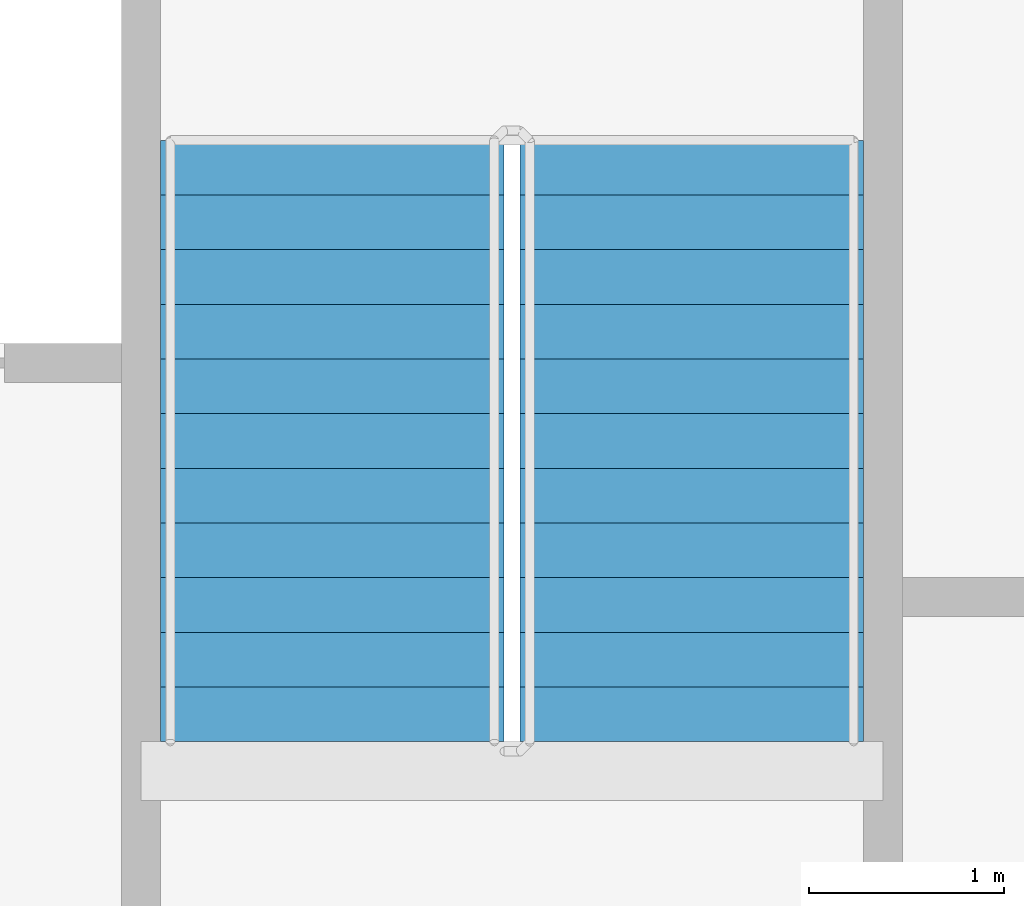
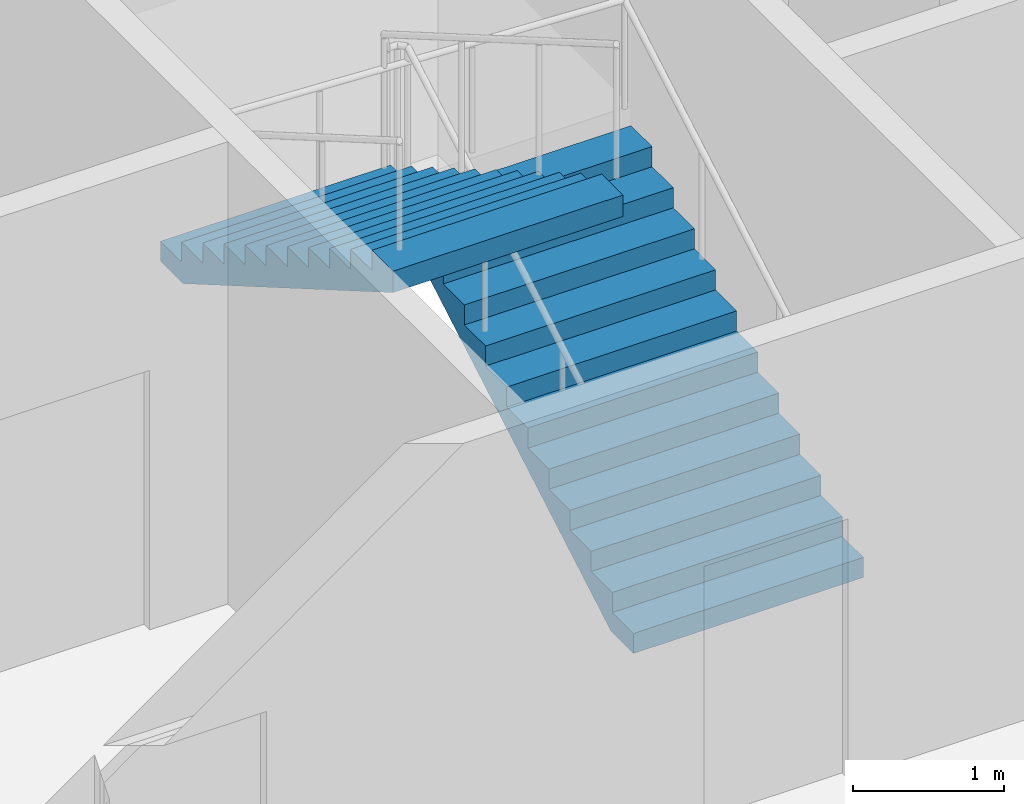
# One storey, part 10 of 15: 2 stair flights, 1 element without a shape of its own.
"""IFC4 building model written with IfcOpenShell, lengths in metres."""

from ifc_helpers import new_model, si_unit, direction, frame, origin, place, context, subcontext, project, spatial, faceted_brep, material, type_object, element, aggregate, save


model = new_model("IFC4")

# Units and contexts
model_context = context("Model", 3, precision=1e-05, world=origin(), true_north=direction((0.0, 1.0)))
body_context = subcontext(model_context, "Body", "Model", "MODEL_VIEW")
ifc_project = project(units=[si_unit("LENGTHUNIT", "METRE"), si_unit("AREAUNIT", "SQUARE_METRE"), si_unit("VOLUMEUNIT", "CUBIC_METRE"), si_unit("PLANEANGLEUNIT", "RADIAN"), si_unit("MASSUNIT", "GRAM", prefix="KILO")], contexts=[model_context])

# Site, building, storey
site_placement = place(None, origin())
site = spatial("IfcSite", under=ifc_project, at=site_placement, CompositionType="ELEMENT")
building_placement = place(site_placement, origin())
building = spatial("IfcBuilding", under=site, at=building_placement, Name="Tarsis Ring Headquarters", CompositionType="ELEMENT")
storey_placement = place(building_placement, frame((0.0, 0.0, 43.89990234375)))
storey = spatial("IfcBuildingStorey", under=building, at=storey_placement, Name="L08", CompositionType="ELEMENT", Elevation=43.89990234375)

# Stair, stair flights
ifc_material_1 = material(Name="Core stair 1760")
stair_type = type_object("IfcStairType", Name="Core stair 1760", PredefinedType="HALF_TURN_STAIR", material=ifc_material_1)
stair_placement = place(storey_placement, origin())
stair = element("IfcStair", 1, at=stair_placement, inside=storey, type_object=stair_type, Name="L08 Exit stair B", PredefinedType="HALF_TURN_STAIR")
ifc_material_2 = material(Name="Concrete C40/50", Category="concrete")
stair_flight_type = type_object("IfcStairFlightType", Name="Core stair flight 1760", PredefinedType="STRAIGHT", material=ifc_material_2)
stair_flight_1_placement = place(storey_placement, frame((5.419921875, 3.659912109375, 0.0), z_axis=(0.0, 0.0, 1.0), x_axis=(0.0, 1.0, 0.0)))
stair_flight_1 = element("IfcStairFlight", 2, at=stair_flight_1_placement, type_object=stair_flight_type, Name="Stair ST2 flight 1", NumberOfRisers=12, NumberOfTreads=11, PredefinedType="STRAIGHT", RiserHeight=0.1625, TreadLength=0.28, context=body_context, shape_type="Brep", body=[
    faceted_brep([(0.0, 0.8798828125, 0.0), (0.0, 0.8798828125, 0.16259765625), (0.280029296875, 0.8798828125, 0.16259765625), (0.280029296875, 0.8798828125, 0.324951171875), (0.56005859375, 0.8798828125, 0.324951171875), (0.56005859375, 0.8798828125, 0.487548828125), (0.840087890625, 0.8798828125, 0.487548828125), (0.840087890625, 0.8798828125, 0.64990234375), (1.1201171875, 0.8798828125, 0.64990234375), (1.1201171875, 0.8798828125, 0.8125), (1.39990234375, 0.8798828125, 0.8125), (1.39990234375, 0.8798828125, 0.97509765625), (1.679931640625, 0.8798828125, 0.97509765625), (1.679931640625, 0.8798828125, 1.137451171875), (1.9599609375, 0.8798828125, 1.137451171875), (1.9599609375, 0.8798828125, 1.300048828125), (2.239990234375, 0.8798828125, 1.300048828125), (2.239990234375, 0.8798828125, 1.46240234375), (2.52001953125, 0.8798828125, 1.46240234375), (2.52001953125, 0.8798828125, 1.625), (2.800048828125, 0.8798828125, 1.625), (2.800048828125, 0.8798828125, 1.78759765625), (3.080078125, 0.8798828125, 1.78759765625), (3.080078125, 0.8798828125, 1.6142578125), (0.298583984375, 0.8798828125, 0.0), (0.298583984375, -0.8798828125, 0.0), (3.080078125, -0.8798828125, 1.6142578125), (3.080078125, -0.8798828125, 1.78759765625), (2.800048828125, -0.8798828125, 1.78759765625), (2.800048828125, -0.8798828125, 1.625), (2.52001953125, -0.8798828125, 1.625), (2.52001953125, -0.8798828125, 1.46240234375), (2.239990234375, -0.8798828125, 1.46240234375), (2.239990234375, -0.8798828125, 1.300048828125), (1.9599609375, -0.8798828125, 1.300048828125), (1.9599609375, -0.8798828125, 1.137451171875), (1.679931640625, -0.8798828125, 1.137451171875), (1.679931640625, -0.8798828125, 0.97509765625), (1.39990234375, -0.8798828125, 0.97509765625), (1.39990234375, -0.8798828125, 0.8125), (1.1201171875, -0.8798828125, 0.8125), (1.1201171875, -0.8798828125, 0.64990234375), (0.840087890625, -0.8798828125, 0.64990234375), (0.840087890625, -0.8798828125, 0.487548828125), (0.56005859375, -0.8798828125, 0.487548828125), (0.56005859375, -0.8798828125, 0.324951171875), (0.280029296875, -0.8798828125, 0.324951171875), (0.280029296875, -0.8798828125, 0.16259765625), (0.0, -0.8798828125, 0.16259765625), (0.0, -0.8798828125, 0.0), (0.0, -0.43994140625, 0.16259765625), (0.0, -0.43994140625, 0.0), (0.0, 0.0, 0.16259765625), (0.0, 0.0, 0.0), (0.0, 0.43994140625, 0.16259765625), (0.0, 0.43994140625, 0.0), (0.280029296875, -0.43994140625, 0.16259765625), (0.280029296875, 0.0, 0.16259765625), (0.280029296875, 0.43994140625, 0.16259765625), (0.280029296875, -0.43994140625, 0.324951171875), (0.280029296875, 0.0, 0.324951171875), (0.280029296875, 0.43994140625, 0.324951171875), (0.56005859375, -0.43994140625, 0.324951171875), (0.56005859375, 0.0, 0.324951171875), (0.56005859375, 0.43994140625, 0.324951171875), (0.56005859375, -0.43994140625, 0.487548828125), (0.56005859375, 0.0, 0.487548828125), (0.56005859375, 0.43994140625, 0.487548828125), (0.840087890625, -0.43994140625, 0.487548828125), (0.840087890625, 0.0, 0.487548828125), (0.840087890625, 0.43994140625, 0.487548828125), (0.840087890625, -0.43994140625, 0.64990234375), (0.840087890625, 0.0, 0.64990234375), (0.840087890625, 0.43994140625, 0.64990234375), (1.1201171875, -0.43994140625, 0.64990234375), (1.1201171875, 0.0, 0.64990234375), (1.1201171875, 0.43994140625, 0.64990234375), (1.1201171875, -0.43994140625, 0.8125), (1.1201171875, 0.0, 0.8125), (1.1201171875, 0.43994140625, 0.8125), (1.39990234375, -0.43994140625, 0.8125), (1.39990234375, 0.0, 0.8125), (1.39990234375, 0.43994140625, 0.8125), (1.39990234375, -0.43994140625, 0.97509765625), (1.39990234375, 0.0, 0.97509765625), (1.39990234375, 0.43994140625, 0.97509765625), (1.679931640625, -0.43994140625, 0.97509765625), (1.679931640625, 0.0, 0.97509765625), (1.679931640625, 0.43994140625, 0.97509765625), (1.679931640625, -0.43994140625, 1.137451171875), (1.679931640625, 0.0, 1.137451171875), (1.679931640625, 0.43994140625, 1.137451171875), (1.9599609375, -0.43994140625, 1.137451171875), (1.9599609375, 0.0, 1.137451171875), (1.9599609375, 0.43994140625, 1.137451171875), (1.9599609375, -0.43994140625, 1.300048828125), (1.9599609375, 0.0, 1.300048828125), (1.9599609375, 0.43994140625, 1.300048828125), (2.239990234375, -0.43994140625, 1.300048828125), (2.239990234375, 0.0, 1.300048828125), (2.239990234375, 0.43994140625, 1.300048828125), (2.239990234375, -0.43994140625, 1.46240234375), (2.239990234375, 0.0, 1.46240234375), (2.239990234375, 0.43994140625, 1.46240234375), (2.52001953125, -0.43994140625, 1.46240234375), (2.52001953125, 0.0, 1.46240234375), (2.52001953125, 0.43994140625, 1.46240234375), (2.52001953125, -0.43994140625, 1.625), (2.52001953125, 0.0, 1.625), (2.52001953125, 0.43994140625, 1.625), (2.800048828125, -0.43994140625, 1.625), (2.800048828125, 0.0, 1.625), (2.800048828125, 0.43994140625, 1.625), (2.800048828125, -0.43994140625, 1.78759765625), (2.800048828125, 0.0, 1.78759765625), (2.800048828125, 0.43994140625, 1.78759765625), (3.080078125, -0.43994140625, 1.78759765625), (3.080078125, 0.0, 1.78759765625), (3.080078125, 0.43994140625, 1.78759765625), (3.080078125, -0.43994140625, 1.6142578125), (3.080078125, 0.0, 1.6142578125), (3.080078125, 0.43994140625, 1.6142578125), (0.298583984375, -0.43994140625, 0.0), (0.298583984375, 0.0, 0.0), (0.298583984375, 0.43994140625, 0.0)], [[[0, 1, 2, 3, 4, 5, 6, 7, 8, 9, 10, 11, 12, 13, 14, 15, 16, 17, 18, 19, 20, 21, 22, 23, 24]], [[25, 26, 27, 28, 29, 30, 31, 32, 33, 34, 35, 36, 37, 38, 39, 40, 41, 42, 43, 44, 45, 46, 47, 48, 49]], [[49, 48, 50, 51]], [[51, 50, 52, 53]], [[53, 52, 54, 55]], [[55, 54, 1, 0]], [[48, 47, 56, 50]], [[50, 56, 57, 52]], [[52, 57, 58, 54]], [[54, 58, 2, 1]], [[47, 46, 59, 56]], [[56, 59, 60, 57]], [[57, 60, 61, 58]], [[58, 61, 3, 2]], [[46, 45, 62, 59]], [[59, 62, 63, 60]], [[60, 63, 64, 61]], [[61, 64, 4, 3]], [[45, 44, 65, 62]], [[62, 65, 66, 63]], [[63, 66, 67, 64]], [[64, 67, 5, 4]], [[44, 43, 68, 65]], [[65, 68, 69, 66]], [[66, 69, 70, 67]], [[67, 70, 6, 5]], [[43, 42, 71, 68]], [[68, 71, 72, 69]], [[69, 72, 73, 70]], [[70, 73, 7, 6]], [[42, 41, 74, 71]], [[71, 74, 75, 72]], [[72, 75, 76, 73]], [[73, 76, 8, 7]], [[41, 40, 77, 74]], [[74, 77, 78, 75]], [[75, 78, 79, 76]], [[76, 79, 9, 8]], [[40, 39, 80, 77]], [[77, 80, 81, 78]], [[78, 81, 82, 79]], [[79, 82, 10, 9]], [[39, 38, 83, 80]], [[80, 83, 84, 81]], [[81, 84, 85, 82]], [[82, 85, 11, 10]], [[38, 37, 86, 83]], [[83, 86, 87, 84]], [[84, 87, 88, 85]], [[85, 88, 12, 11]], [[37, 36, 89, 86]], [[86, 89, 90, 87]], [[87, 90, 91, 88]], [[88, 91, 13, 12]], [[36, 35, 92, 89]], [[89, 92, 93, 90]], [[90, 93, 94, 91]], [[91, 94, 14, 13]], [[35, 34, 95, 92]], [[92, 95, 96, 93]], [[93, 96, 97, 94]], [[94, 97, 15, 14]], [[34, 33, 98, 95]], [[95, 98, 99, 96]], [[96, 99, 100, 97]], [[97, 100, 16, 15]], [[33, 32, 101, 98]], [[98, 101, 102, 99]], [[99, 102, 103, 100]], [[100, 103, 17, 16]], [[32, 31, 104, 101]], [[101, 104, 105, 102]], [[102, 105, 106, 103]], [[103, 106, 18, 17]], [[31, 30, 107, 104]], [[104, 107, 108, 105]], [[105, 108, 109, 106]], [[106, 109, 19, 18]], [[30, 29, 110, 107]], [[107, 110, 111, 108]], [[108, 111, 112, 109]], [[109, 112, 20, 19]], [[29, 28, 113, 110]], [[110, 113, 114, 111]], [[111, 114, 115, 112]], [[112, 115, 21, 20]], [[28, 27, 116, 113]], [[113, 116, 117, 114]], [[114, 117, 118, 115]], [[115, 118, 22, 21]], [[27, 26, 119, 116]], [[116, 119, 120, 117]], [[117, 120, 121, 118]], [[118, 121, 23, 22]], [[26, 25, 122, 119]], [[119, 122, 123, 120]], [[120, 123, 124, 121]], [[121, 124, 24, 23]], [[25, 49, 51, 122]], [[122, 51, 53, 123]], [[123, 53, 55, 124]], [[124, 55, 0, 24]]]),
])
stair_flight_2_placement = place(storey_placement, frame((3.580078125, 6.739990234375, 1.9501953125), z_axis=(0.0, 0.0, 1.0), x_axis=(0.0, -1.0, 0.0)))
stair_flight_2 = element("IfcStairFlight", 3, at=stair_flight_2_placement, type_object=stair_flight_type, Name="Stair ST2 flight 2", NumberOfRisers=12, NumberOfTreads=11, PredefinedType="STRAIGHT", RiserHeight=0.1625, TreadLength=0.28, context=body_context, shape_type="Brep", body=[
    faceted_brep([(0.0, 0.8798828125, 0.0), (0.0, 0.8798828125, 0.16259765625), (0.280029296875, 0.8798828125, 0.16259765625), (0.280029296875, 0.8798828125, 0.324951171875), (0.56005859375, 0.8798828125, 0.324951171875), (0.56005859375, 0.8798828125, 0.487548828125), (0.840087890625, 0.8798828125, 0.487548828125), (0.840087890625, 0.8798828125, 0.64990234375), (1.1201171875, 0.8798828125, 0.64990234375), (1.1201171875, 0.8798828125, 0.8125), (1.39990234375, 0.8798828125, 0.8125), (1.39990234375, 0.8798828125, 0.97509765625), (1.679931640625, 0.8798828125, 0.97509765625), (1.679931640625, 0.8798828125, 1.137451171875), (1.9599609375, 0.8798828125, 1.137451171875), (1.9599609375, 0.8798828125, 1.300048828125), (2.239990234375, 0.8798828125, 1.300048828125), (2.239990234375, 0.8798828125, 1.46240234375), (2.52001953125, 0.8798828125, 1.46240234375), (2.52001953125, 0.8798828125, 1.625), (2.800048828125, 0.8798828125, 1.625), (2.800048828125, 0.8798828125, 1.78759765625), (3.080078125, 0.8798828125, 1.78759765625), (3.080078125, 0.8798828125, 1.6142578125), (0.298583984375, 0.8798828125, 0.0), (0.298583984375, -0.8798828125, 0.0), (3.080078125, -0.8798828125, 1.6142578125), (3.080078125, -0.8798828125, 1.78759765625), (2.800048828125, -0.8798828125, 1.78759765625), (2.800048828125, -0.8798828125, 1.625), (2.52001953125, -0.8798828125, 1.625), (2.52001953125, -0.8798828125, 1.46240234375), (2.239990234375, -0.8798828125, 1.46240234375), (2.239990234375, -0.8798828125, 1.300048828125), (1.9599609375, -0.8798828125, 1.300048828125), (1.9599609375, -0.8798828125, 1.137451171875), (1.679931640625, -0.8798828125, 1.137451171875), (1.679931640625, -0.8798828125, 0.97509765625), (1.39990234375, -0.8798828125, 0.97509765625), (1.39990234375, -0.8798828125, 0.8125), (1.1201171875, -0.8798828125, 0.8125), (1.1201171875, -0.8798828125, 0.64990234375), (0.840087890625, -0.8798828125, 0.64990234375), (0.840087890625, -0.8798828125, 0.487548828125), (0.56005859375, -0.8798828125, 0.487548828125), (0.56005859375, -0.8798828125, 0.324951171875), (0.280029296875, -0.8798828125, 0.324951171875), (0.280029296875, -0.8798828125, 0.16259765625), (0.0, -0.8798828125, 0.16259765625), (0.0, -0.8798828125, 0.0), (0.0, -0.43994140625, 0.16259765625), (0.0, -0.43994140625, 0.0), (0.0, 0.0, 0.16259765625), (0.0, 0.0, 0.0), (0.0, 0.43994140625, 0.16259765625), (0.0, 0.43994140625, 0.0), (0.280029296875, -0.43994140625, 0.16259765625), (0.280029296875, 0.0, 0.16259765625), (0.280029296875, 0.43994140625, 0.16259765625), (0.280029296875, -0.43994140625, 0.324951171875), (0.280029296875, 0.0, 0.324951171875), (0.280029296875, 0.43994140625, 0.324951171875), (0.56005859375, -0.43994140625, 0.324951171875), (0.56005859375, 0.0, 0.324951171875), (0.56005859375, 0.43994140625, 0.324951171875), (0.56005859375, -0.43994140625, 0.487548828125), (0.56005859375, 0.0, 0.487548828125), (0.56005859375, 0.43994140625, 0.487548828125), (0.840087890625, -0.43994140625, 0.487548828125), (0.840087890625, 0.0, 0.487548828125), (0.840087890625, 0.43994140625, 0.487548828125), (0.840087890625, -0.43994140625, 0.64990234375), (0.840087890625, 0.0, 0.64990234375), (0.840087890625, 0.43994140625, 0.64990234375), (1.1201171875, -0.43994140625, 0.64990234375), (1.1201171875, 0.0, 0.64990234375), (1.1201171875, 0.43994140625, 0.64990234375), (1.1201171875, -0.43994140625, 0.8125), (1.1201171875, 0.0, 0.8125), (1.1201171875, 0.43994140625, 0.8125), (1.39990234375, -0.43994140625, 0.8125), (1.39990234375, 0.0, 0.8125), (1.39990234375, 0.43994140625, 0.8125), (1.39990234375, -0.43994140625, 0.97509765625), (1.39990234375, 0.0, 0.97509765625), (1.39990234375, 0.43994140625, 0.97509765625), (1.679931640625, -0.43994140625, 0.97509765625), (1.679931640625, 0.0, 0.97509765625), (1.679931640625, 0.43994140625, 0.97509765625), (1.679931640625, -0.43994140625, 1.137451171875), (1.679931640625, 0.0, 1.137451171875), (1.679931640625, 0.43994140625, 1.137451171875), (1.9599609375, -0.43994140625, 1.137451171875), (1.9599609375, 0.0, 1.137451171875), (1.9599609375, 0.43994140625, 1.137451171875), (1.9599609375, -0.43994140625, 1.300048828125), (1.9599609375, 0.0, 1.300048828125), (1.9599609375, 0.43994140625, 1.300048828125), (2.239990234375, -0.43994140625, 1.300048828125), (2.239990234375, 0.0, 1.300048828125), (2.239990234375, 0.43994140625, 1.300048828125), (2.239990234375, -0.43994140625, 1.46240234375), (2.239990234375, 0.0, 1.46240234375), (2.239990234375, 0.43994140625, 1.46240234375), (2.52001953125, -0.43994140625, 1.46240234375), (2.52001953125, 0.0, 1.46240234375), (2.52001953125, 0.43994140625, 1.46240234375), (2.52001953125, -0.43994140625, 1.625), (2.52001953125, 0.0, 1.625), (2.52001953125, 0.43994140625, 1.625), (2.800048828125, -0.43994140625, 1.625), (2.800048828125, 0.0, 1.625), (2.800048828125, 0.43994140625, 1.625), (2.800048828125, -0.43994140625, 1.78759765625), (2.800048828125, 0.0, 1.78759765625), (2.800048828125, 0.43994140625, 1.78759765625), (3.080078125, -0.43994140625, 1.78759765625), (3.080078125, 0.0, 1.78759765625), (3.080078125, 0.43994140625, 1.78759765625), (3.080078125, -0.43994140625, 1.6142578125), (3.080078125, 0.0, 1.6142578125), (3.080078125, 0.43994140625, 1.6142578125), (0.298583984375, -0.43994140625, 0.0), (0.298583984375, 0.0, 0.0), (0.298583984375, 0.43994140625, 0.0)], [[[0, 1, 2, 3, 4, 5, 6, 7, 8, 9, 10, 11, 12, 13, 14, 15, 16, 17, 18, 19, 20, 21, 22, 23, 24]], [[25, 26, 27, 28, 29, 30, 31, 32, 33, 34, 35, 36, 37, 38, 39, 40, 41, 42, 43, 44, 45, 46, 47, 48, 49]], [[49, 48, 50, 51]], [[51, 50, 52, 53]], [[53, 52, 54, 55]], [[55, 54, 1, 0]], [[48, 47, 56, 50]], [[50, 56, 57, 52]], [[52, 57, 58, 54]], [[54, 58, 2, 1]], [[47, 46, 59, 56]], [[56, 59, 60, 57]], [[57, 60, 61, 58]], [[58, 61, 3, 2]], [[46, 45, 62, 59]], [[59, 62, 63, 60]], [[60, 63, 64, 61]], [[61, 64, 4, 3]], [[45, 44, 65, 62]], [[62, 65, 66, 63]], [[63, 66, 67, 64]], [[64, 67, 5, 4]], [[44, 43, 68, 65]], [[65, 68, 69, 66]], [[66, 69, 70, 67]], [[67, 70, 6, 5]], [[43, 42, 71, 68]], [[68, 71, 72, 69]], [[69, 72, 73, 70]], [[70, 73, 7, 6]], [[42, 41, 74, 71]], [[71, 74, 75, 72]], [[72, 75, 76, 73]], [[73, 76, 8, 7]], [[41, 40, 77, 74]], [[74, 77, 78, 75]], [[75, 78, 79, 76]], [[76, 79, 9, 8]], [[40, 39, 80, 77]], [[77, 80, 81, 78]], [[78, 81, 82, 79]], [[79, 82, 10, 9]], [[39, 38, 83, 80]], [[80, 83, 84, 81]], [[81, 84, 85, 82]], [[82, 85, 11, 10]], [[38, 37, 86, 83]], [[83, 86, 87, 84]], [[84, 87, 88, 85]], [[85, 88, 12, 11]], [[37, 36, 89, 86]], [[86, 89, 90, 87]], [[87, 90, 91, 88]], [[88, 91, 13, 12]], [[36, 35, 92, 89]], [[89, 92, 93, 90]], [[90, 93, 94, 91]], [[91, 94, 14, 13]], [[35, 34, 95, 92]], [[92, 95, 96, 93]], [[93, 96, 97, 94]], [[94, 97, 15, 14]], [[34, 33, 98, 95]], [[95, 98, 99, 96]], [[96, 99, 100, 97]], [[97, 100, 16, 15]], [[33, 32, 101, 98]], [[98, 101, 102, 99]], [[99, 102, 103, 100]], [[100, 103, 17, 16]], [[32, 31, 104, 101]], [[101, 104, 105, 102]], [[102, 105, 106, 103]], [[103, 106, 18, 17]], [[31, 30, 107, 104]], [[104, 107, 108, 105]], [[105, 108, 109, 106]], [[106, 109, 19, 18]], [[30, 29, 110, 107]], [[107, 110, 111, 108]], [[108, 111, 112, 109]], [[109, 112, 20, 19]], [[29, 28, 113, 110]], [[110, 113, 114, 111]], [[111, 114, 115, 112]], [[112, 115, 21, 20]], [[28, 27, 116, 113]], [[113, 116, 117, 114]], [[114, 117, 118, 115]], [[115, 118, 22, 21]], [[27, 26, 119, 116]], [[116, 119, 120, 117]], [[117, 120, 121, 118]], [[118, 121, 23, 22]], [[26, 25, 122, 119]], [[119, 122, 123, 120]], [[120, 123, 124, 121]], [[121, 124, 24, 23]], [[25, 49, 51, 122]], [[122, 51, 53, 123]], [[123, 53, 55, 124]], [[124, 55, 0, 24]]]),
])
aggregate(stair, [stair_flight_1, stair_flight_2])

save(model, "model.ifc")
